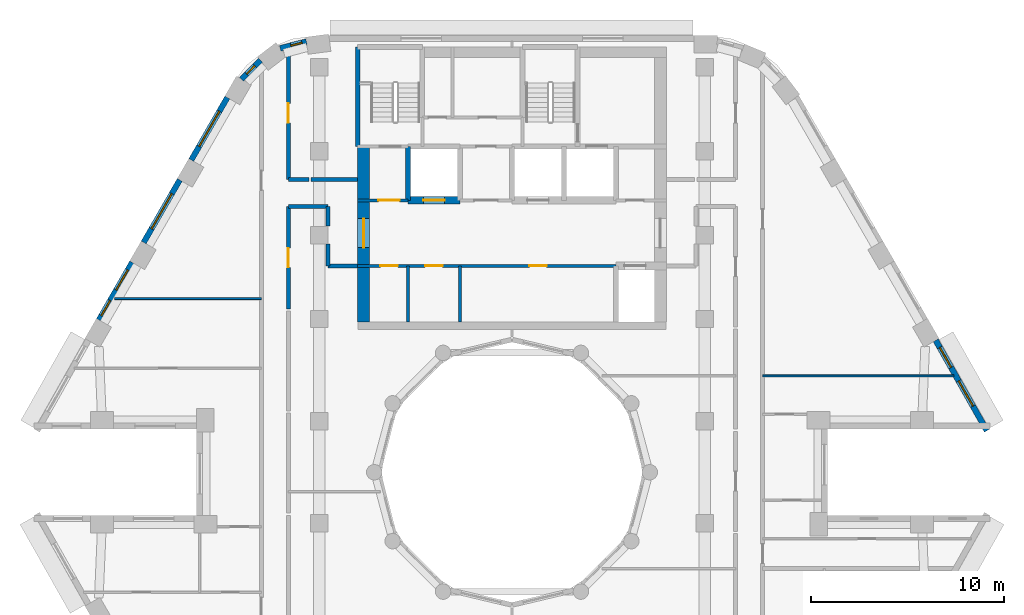
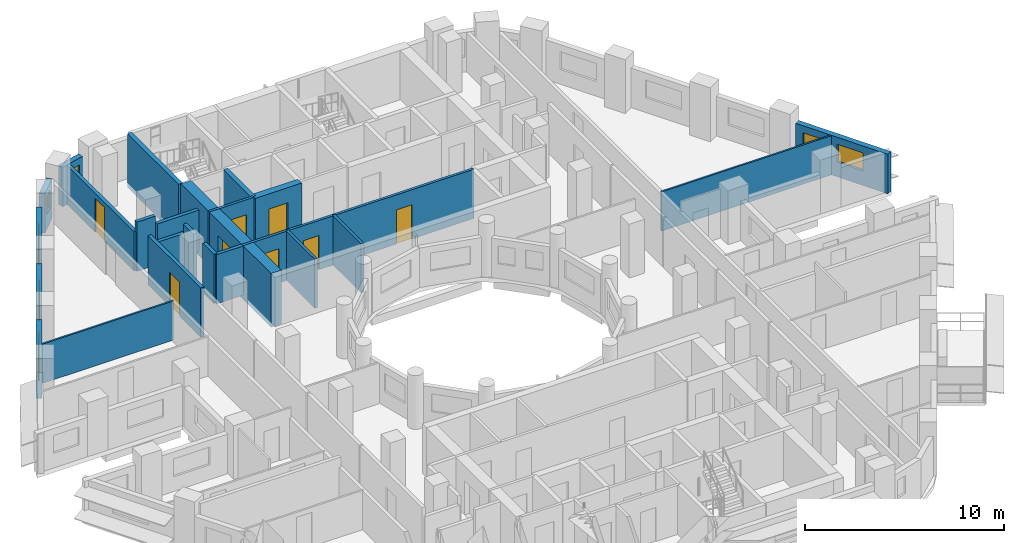
# One storey, part 7 of 15: 24 walls, 8 doors, 8 windows, 16 openings.
"""IFC4 building model written with IfcOpenShell, lengths in metres."""

from ifc_helpers import new_model, si_unit, direction, frame, frame_2d, origin, place, context, subcontext, project, spatial, rectangle, extrude, material, layer, layer_set, type_object, element, fill, save


model = new_model("IFC4")

# Units and contexts
model_context = context("Model", 3, precision=1e-05, world=origin(), true_north=direction((0.0, 1.0)))
body_context = subcontext(model_context, "Body", "Model", "MODEL_VIEW")
ifc_project = project(units=[si_unit("LENGTHUNIT", "METRE"), si_unit("AREAUNIT", "SQUARE_METRE"), si_unit("VOLUMEUNIT", "CUBIC_METRE"), si_unit("PLANEANGLEUNIT", "RADIAN"), si_unit("MASSUNIT", "GRAM", prefix="KILO")], contexts=[model_context])

# Site, building, storey
site_placement = place(None, origin())
site = spatial("IfcSite", under=ifc_project, at=site_placement, CompositionType="ELEMENT")
building_placement = place(site_placement, origin())
building = spatial("IfcBuilding", under=site, at=building_placement, Name="Nakaniwa Court", CompositionType="ELEMENT")
storey_placement = place(building_placement, frame((0.0, 0.0, 186.60009765625)))
storey = spatial("IfcBuildingStorey", under=building, at=storey_placement, Name="L48", CompositionType="ELEMENT", Elevation=186.60009765625)

# Walls
ifc_material_1 = material(Name="Acoustic double stud partition")
ifc_layer_1 = layer(ifc_material_1, 0.199951171875)
ifc_layer_set_1 = layer_set([ifc_layer_1], Name="Acoustic double stud partition")
wall_type_1 = type_object("IfcWallType", Name="Acoustic double stud partition 200", PredefinedType="PARTITIONING", material=ifc_layer_set_1)
wall_1_placement = place(storey_placement, frame((68.39990234375, 93.77490234375, 0.0), z_axis=(0.0, 0.0, 1.0), x_axis=(1.0, 0.0, 0.0)))
element("IfcWall", 1, at=wall_1_placement, inside=storey, type_object=wall_type_1, Name="Partition PW-087", PredefinedType="PARTITIONING", context=body_context, shape_type="SweptSolid", body=[
    extrude(rectangle(XDim=2.050048828125, YDim=0.199951171875, at=frame_2d((1.02490234375, 0.0))), origin(), (0.0, 0.0, 1.0), 2.5048828125),
])
wall_2_placement = place(storey_placement, frame((70.449951171875, 90.699951171875, 0.0), z_axis=(0.0, 0.0, 1.0), x_axis=(1.0, 0.0, 0.0)))
element("IfcWall", 2, at=wall_2_placement, inside=storey, type_object=wall_type_1, Name="Partition PW-089", PredefinedType="PARTITIONING", context=body_context, shape_type="SweptSolid", body=[
    extrude(rectangle(XDim=1.550048828125, YDim=0.199951171875, at=frame_2d((0.77490234375, 0.0))), origin(), (0.0, 0.0, 1.0), 3.02490234375),
])
wall_3_placement = place(storey_placement, frame((68.39990234375, 95.175048828125, 0.0), z_axis=(0.0, 0.0, 1.0), x_axis=(1.0, 0.0, 0.0)))
element("IfcWall", 3, at=wall_3_placement, inside=storey, type_object=wall_type_1, Name="Partition PW-091", PredefinedType="PARTITIONING", context=body_context, shape_type="SweptSolid", body=[
    extrude(rectangle(XDim=1.072998046875, YDim=0.199951171875, at=frame_2d((0.53662109375, 0.0))), origin(), (0.0, 0.0, 1.0), 3.02490234375),
])
wall_4_placement = place(storey_placement, frame((69.587158203125, 95.175048828125, 0.0), z_axis=(0.0, 0.0, 1.0), x_axis=(1.0, 0.0, 0.0)))
element("IfcWall", 4, at=wall_4_placement, inside=storey, type_object=wall_type_1, Name="Partition PW-092", PredefinedType="PARTITIONING", context=body_context, shape_type="SweptSolid", body=[
    extrude(rectangle(XDim=2.412841796875, YDim=0.199951171875, at=frame_2d((1.20654296875, 0.0))), origin(), (0.0, 0.0, 1.0), 2.5048828125),
])

# Wall, opening, door
wall_5_placement = place(storey_placement, frame((68.39990234375, 93.77490234375, 0.0), z_axis=(0.0, 0.0, 1.0), x_axis=(0.0, -1.0, 0.0)))
wall_5 = element("IfcWall", 5, at=wall_5_placement, inside=storey, type_object=wall_type_1, Name="Partition PW-100", PredefinedType="PARTITIONING", context=body_context, shape_type="SweptSolid", body=[
    extrude(rectangle(XDim=5.297607421875, YDim=0.199951171875, at=frame_2d((2.64892578125, 0.0))), origin(), (0.0, 0.0, 1.0), 3.02490234375),
])
opening_1_placement = place(wall_5_placement, frame((2.14794921875, 0.0, 0.0)))
opening_1 = element("IfcOpeningElement", 6, at=opening_1_placement, cuts=wall_5, Name="Opening D-02-07", PredefinedType="OPENING", context=body_context, shape_type="SweptSolid", body=[
    extrude(rectangle(XDim=1.0, YDim=2.10009765625, at=frame_2d((0.5, 1.050048828125))), frame((0.0, 0.10986328125, 0.0), z_axis=(0.0, -1.0, 0.0), x_axis=(1.0, 0.0, 0.0)), (0.0, 0.0, 1.0), 0.219970703125),
])
ifc_material_2 = material(Name="Solid core timber door set, black veneer", Category="wood")
door_type_1 = type_object("IfcDoorType", Name="Internal door 1000", OperationType="NOTDEFINED", PredefinedType="DOOR", material=ifc_material_2)
door_1_placement = place(opening_1_placement, origin())
door_1 = element("IfcDoor", 7, at=door_1_placement, inside=storey, type_object=door_type_1, Name="Door D-02-07 L48-047", OperationType="SINGLE_SWING_RIGHT", OverallHeight=2.10009765625, OverallWidth=1.0, PredefinedType="DOOR", context=body_context, shape_type="SweptSolid", body=[
    extrude(rectangle(XDim=1.0, YDim=2.10009765625, at=frame_2d((0.5, 1.050048828125))), frame((0.0, 0.02490234375, 0.0), z_axis=(0.0, -1.0, 0.0), x_axis=(1.0, 0.0, 0.0)), (0.0, 0.0, 1.0), 0.050048828125),
])
fill(opening_1, door_1)

wall_6_placement = place(storey_placement, frame((68.39990234375, 102.07373046875, 0.0), z_axis=(0.0, 0.0, 1.0), x_axis=(0.0, -1.0, 0.0)))
wall_6 = element("IfcWall", 8, at=wall_6_placement, inside=storey, type_object=wall_type_1, Name="Partition PW-101", PredefinedType="PARTITIONING", context=body_context, shape_type="SweptSolid", body=[
    extrude(rectangle(XDim=6.898681640625, YDim=0.199951171875, at=frame_2d((3.44921875, 0.0))), origin(), (0.0, 0.0, 1.0), 2.40478515625),
])
opening_2_placement = place(wall_6_placement, frame((2.948974609375, 0.0, 0.0)))
opening_2 = element("IfcOpeningElement", 9, at=opening_2_placement, cuts=wall_6, Name="Opening D-02-11", PredefinedType="OPENING", context=body_context, shape_type="SweptSolid", body=[
    extrude(rectangle(XDim=1.0, YDim=2.10009765625, at=frame_2d((0.5, 1.050048828125))), frame((0.0, 0.10986328125, 0.0), z_axis=(0.0, -1.0, 0.0), x_axis=(1.0, 0.0, 0.0)), (0.0, 0.0, 1.0), 0.219970703125),
])
door_2_placement = place(opening_2_placement, origin())
door_2 = element("IfcDoor", 10, at=door_2_placement, inside=storey, type_object=door_type_1, Name="Door D-02-11 L48-051", OperationType="SINGLE_SWING_RIGHT", OverallHeight=2.10009765625, OverallWidth=1.0, PredefinedType="DOOR", context=body_context, shape_type="SweptSolid", body=[
    extrude(rectangle(XDim=1.0, YDim=2.10009765625, at=frame_2d((0.5, 1.050048828125))), frame((0.0, 0.02490234375, 0.0), z_axis=(0.0, -1.0, 0.0), x_axis=(1.0, 0.0, 0.0)), (0.0, 0.0, 1.0), 0.050048828125),
])
fill(opening_2, door_2)

# Walls
wall_7_placement = place(storey_placement, frame((70.449951171875, 90.699951171875, 0.0), z_axis=(0.0, 0.0, 1.0), x_axis=(0.0, 1.0, 0.0)))
element("IfcWall", 11, at=wall_7_placement, inside=storey, type_object=wall_type_1, Name="Partition PW-105", PredefinedType="PARTITIONING", context=body_context, shape_type="SweptSolid", body=[
    extrude(rectangle(XDim=1.1328125, YDim=0.199951171875, at=frame_2d((0.56640625, 0.0))), origin(), (0.0, 0.0, 1.0), 3.02490234375),
])
wall_8_placement = place(storey_placement, frame((70.449951171875, 92.76708984375, 0.0), z_axis=(0.0, 0.0, 1.0), x_axis=(0.0, 1.0, 0.0)))
element("IfcWall", 12, at=wall_8_placement, inside=storey, type_object=wall_type_1, Name="Partition PW-106", PredefinedType="PARTITIONING", context=body_context, shape_type="SweptSolid", body=[
    extrude(rectangle(XDim=1.0078125, YDim=0.199951171875, at=frame_2d((0.50390625, 0.0))), origin(), (0.0, 0.0, 1.0), 3.02490234375),
])

# Wall, openings, windows
ifc_material_3 = material(Name="Charcoal ceramic cladding")
ifc_layer_2 = layer(ifc_material_3, 0.02, Name="Ceramic cladding")
ifc_material_4 = material(Name="Ventilated air cavity")
ifc_layer_3 = layer(ifc_material_4, 0.04, ventilated=True, Name="Ventilated cavity")
ifc_material_5 = material(Name="Mineral wool insulation")
ifc_layer_4 = layer(ifc_material_5, 0.1, Name="Insulation")
ifc_material_6 = material(Name="Cement bonded sheathing board")
ifc_layer_5 = layer(ifc_material_6, 0.012, Name="Sheathing")
ifc_material_7 = material(Name="Cold-formed galvanised stud frame with mineral wool infill")
ifc_layer_6 = layer(ifc_material_7, 0.1, Name="Stud frame")
ifc_material_8 = material(Name="Fire-rated gypsum plasterboard lining")
ifc_layer_7 = layer(ifc_material_8, 0.028, Name="Lining")
ifc_layer_set_2 = layer_set([ifc_layer_2, ifc_layer_3, ifc_layer_4, ifc_layer_5, ifc_layer_6, ifc_layer_7], Name="Charcoal ceramic faced external wall system")
wall_type_2 = type_object("IfcWallType", Name="Black ceramic faced external wall 300", PredefinedType="SOLIDWALL", material=ifc_layer_set_2)
wall_9_placement = place(storey_placement, frame((104.627197265625, 82.153564453125, 0.0), z_axis=(0.0, 0.0, 1.0), x_axis=(-0.492033360928, 0.870576344575, 0.0)))
wall_9 = element("IfcWall", 13, at=wall_9_placement, inside=storey, type_object=wall_type_2, Name="L48 external wall 02", PredefinedType="SOLIDWALL", context=body_context, shape_type="SweptSolid", body=[
    extrude(rectangle(XDim=5.38671875, YDim=0.300048828125, at=frame_2d((2.693359375, 0.0))), origin(), (0.0, 0.0, 1.0), 2.4248046875),
])
opening_3_placement = place(wall_9_placement, frame((1.46630859375, 0.0, 0.89990234375)))
opening_3 = element("IfcOpeningElement", 14, at=opening_3_placement, cuts=wall_9, Name="Opening W5.01", PredefinedType="OPENING", context=body_context, shape_type="SweptSolid", body=[
    extrude(rectangle(XDim=1.5, YDim=1.10009765625, at=frame_2d((0.75, 0.550048828125))), frame((0.0, 0.159912109375, 0.0), z_axis=(0.0, -1.0, 0.0), x_axis=(1.0, 0.0, 0.0)), (0.0, 0.0, 1.0), 0.320068359375),
])
opening_4_placement = place(wall_9_placement, frame((3.763427734375, 0.0, 0.89990234375)))
opening_4 = element("IfcOpeningElement", 15, at=opening_4_placement, cuts=wall_9, Name="Opening W6.02", PredefinedType="OPENING", context=body_context, shape_type="SweptSolid", body=[
    extrude(rectangle(XDim=1.199951171875, YDim=1.10009765625, at=frame_2d((0.60009765625, 0.550048828125))), frame((0.0, 0.159912109375, 0.0), z_axis=(0.0, -1.0, 0.0), x_axis=(1.0, 0.0, 0.0)), (0.0, 0.0, 1.0), 0.320068359375),
])
ifc_material_9 = material(Name="Black anodised aluminium frame with dark low-E laminated double glazing", Category="aluminium")
window_type_1 = type_object("IfcWindowType", Name="Dark glass window 1200x1100 sill 900", PartitioningType="SINGLE_PANEL", PredefinedType="WINDOW", material=ifc_material_9)
window_1_placement = place(opening_4_placement, origin())
window_1 = element("IfcWindow", 16, at=window_1_placement, inside=storey, type_object=window_type_1, Name="L48 habitable room window 02-1", OverallHeight=1.10009765625, OverallWidth=1.199951171875, PartitioningType="SINGLE_PANEL", PredefinedType="WINDOW", context=body_context, shape_type="SweptSolid", body=[
    extrude(rectangle(XDim=1.199951171875, YDim=1.10009765625, at=frame_2d((0.60009765625, 0.550048828125))), frame((0.0, 0.030029296875, 0.0), z_axis=(0.0, -1.0, 0.0), x_axis=(1.0, 0.0, 0.0)), (0.0, 0.0, 1.0), 0.06005859375),
])
fill(opening_4, window_1)
window_type_2 = type_object("IfcWindowType", Name="Dark glass window 1500x1100 sill 900", PartitioningType="SINGLE_PANEL", PredefinedType="WINDOW", material=ifc_material_9)
window_2_placement = place(opening_3_placement, origin())
window_2 = element("IfcWindow", 17, at=window_2_placement, inside=storey, type_object=window_type_2, Name="L48 habitable room window 02-0", OverallHeight=1.10009765625, OverallWidth=1.5, PartitioningType="SINGLE_PANEL", PredefinedType="WINDOW", context=body_context, shape_type="SweptSolid", body=[
    extrude(rectangle(XDim=1.5, YDim=1.10009765625, at=frame_2d((0.75, 0.550048828125))), frame((0.0, 0.030029296875, 0.0), z_axis=(0.0, -1.0, 0.0), x_axis=(1.0, 0.0, 0.0)), (0.0, 0.0, 1.0), 0.06005859375),
])
fill(opening_3, window_2)

# Wall, opening, window
wall_10_placement = place(storey_placement, frame((69.3359375, 102.333251953125, 0.0), z_axis=(0.0, 0.0, 1.0), x_axis=(-0.969037396898, -0.246914000036, 0.0)))
wall_10 = element("IfcWall", 18, at=wall_10_placement, inside=storey, type_object=wall_type_2, Name="L48 external wall 09", PredefinedType="SOLIDWALL", context=body_context, shape_type="SweptSolid", body=[
    extrude(rectangle(XDim=1.403076171875, YDim=0.300048828125, at=frame_2d((0.70166015625, 0.0))), origin(), (0.0, 0.0, 1.0), 2.4248046875),
])
opening_5_placement = place(wall_10_placement, frame((0.22900390625, 0.0, 0.89990234375)))
opening_5 = element("IfcOpeningElement", 19, at=opening_5_placement, cuts=wall_10, Name="Opening W8.10", PredefinedType="OPENING", context=body_context, shape_type="SweptSolid", body=[
    extrude(rectangle(XDim=0.60009765625, YDim=1.10009765625, at=frame_2d((0.300048828125, 0.550048828125))), frame((0.0, 0.159912109375, 0.0), z_axis=(0.0, -1.0, 0.0), x_axis=(1.0, 0.0, 0.0)), (0.0, 0.0, 1.0), 0.320068359375),
])
window_type_3 = type_object("IfcWindowType", Name="Dark glass window 600x1100 sill 900", PartitioningType="SINGLE_PANEL", PredefinedType="WINDOW", material=ifc_material_9)
window_3_placement = place(opening_5_placement, origin())
window_3 = element("IfcWindow", 20, at=window_3_placement, inside=storey, type_object=window_type_3, Name="L48 habitable room window 09-0", OverallHeight=1.10009765625, OverallWidth=0.60009765625, PartitioningType="SINGLE_PANEL", PredefinedType="WINDOW", context=body_context, shape_type="SweptSolid", body=[
    extrude(rectangle(XDim=0.60009765625, YDim=1.10009765625, at=frame_2d((0.300048828125, 0.550048828125))), frame((0.0, 0.030029296875, 0.0), z_axis=(0.0, -1.0, 0.0), x_axis=(1.0, 0.0, 0.0)), (0.0, 0.0, 1.0), 0.06005859375),
])
fill(opening_5, window_3)

wall_11_placement = place(storey_placement, frame((66.951904296875, 101.36328125, 0.0), z_axis=(0.0, 0.0, 1.0), x_axis=(-0.70869320446, -0.705516790695, 0.0)))
wall_11 = element("IfcWall", 21, at=wall_11_placement, inside=storey, type_object=wall_type_2, Name="L48 external wall 10", PredefinedType="SOLIDWALL", context=body_context, shape_type="SweptSolid", body=[
    extrude(rectangle(XDim=1.383544921875, YDim=0.300048828125, at=frame_2d((0.69189453125, 0.0))), origin(), (0.0, 0.0, 1.0), 2.4248046875),
])
opening_6_placement = place(wall_11_placement, frame((0.407958984375, 0.0, 0.89990234375)))
opening_6 = element("IfcOpeningElement", 22, at=opening_6_placement, cuts=wall_11, Name="Opening W8.11", PredefinedType="OPENING", context=body_context, shape_type="SweptSolid", body=[
    extrude(rectangle(XDim=0.60009765625, YDim=1.10009765625, at=frame_2d((0.300048828125, 0.550048828125))), frame((0.0, 0.159912109375, 0.0), z_axis=(0.0, -1.0, 0.0), x_axis=(1.0, 0.0, 0.0)), (0.0, 0.0, 1.0), 0.320068359375),
])
window_4_placement = place(opening_6_placement, origin())
window_4 = element("IfcWindow", 23, at=window_4_placement, inside=storey, type_object=window_type_3, Name="L48 habitable room window 10-1", OverallHeight=1.10009765625, OverallWidth=0.60009765625, PartitioningType="SINGLE_PANEL", PredefinedType="WINDOW", context=body_context, shape_type="SweptSolid", body=[
    extrude(rectangle(XDim=0.60009765625, YDim=1.10009765625, at=frame_2d((0.300048828125, 0.550048828125))), frame((0.0, 0.030029296875, 0.0), z_axis=(0.0, -1.0, 0.0), x_axis=(1.0, 0.0, 0.0)), (0.0, 0.0, 1.0), 0.06005859375),
])
fill(opening_6, window_4)

wall_12_placement = place(storey_placement, frame((65.239013671875, 99.433349609375, 0.0), z_axis=(0.0, 0.0, 1.0), x_axis=(-0.499982088007, -0.866035745032, 0.0)))
wall_12 = element("IfcWall", 24, at=wall_12_placement, inside=storey, type_object=wall_type_2, Name="L48 external wall 11", PredefinedType="SOLIDWALL", context=body_context, shape_type="SweptSolid", body=[
    extrude(rectangle(XDim=3.744384765625, YDim=0.300048828125, at=frame_2d((1.8720703125, 0.0))), origin(), (0.0, 0.0, 1.0), 2.4248046875),
])
opening_7_placement = place(wall_12_placement, frame((0.822021484375, 0.0, 0.89990234375)))
opening_7 = element("IfcOpeningElement", 25, at=opening_7_placement, cuts=wall_12, Name="Opening W7.12", PredefinedType="OPENING", context=body_context, shape_type="SweptSolid", body=[
    extrude(rectangle(XDim=2.10009765625, YDim=1.10009765625, at=frame_2d((1.050048828125, 0.550048828125))), frame((0.0, 0.159912109375, 0.0), z_axis=(0.0, -1.0, 0.0), x_axis=(1.0, 0.0, 0.0)), (0.0, 0.0, 1.0), 0.320068359375),
])
window_type_4 = type_object("IfcWindowType", Name="Dark glass window 2100x1100 sill 900", PartitioningType="SINGLE_PANEL", PredefinedType="WINDOW", material=ifc_material_9)
window_5_placement = place(opening_7_placement, origin())
window_5 = element("IfcWindow", 26, at=window_5_placement, inside=storey, type_object=window_type_4, Name="L48 habitable room window 11-0", OverallHeight=1.10009765625, OverallWidth=2.10009765625, PartitioningType="SINGLE_PANEL", PredefinedType="WINDOW", context=body_context, shape_type="SweptSolid", body=[
    extrude(rectangle(XDim=2.10009765625, YDim=1.10009765625, at=frame_2d((1.050048828125, 0.550048828125))), frame((0.0, 0.030029296875, 0.0), z_axis=(0.0, -1.0, 0.0), x_axis=(1.0, 0.0, 0.0)), (0.0, 0.0, 1.0), 0.06005859375),
])
fill(opening_7, window_5)

wall_13_placement = place(storey_placement, frame((62.77099609375, 95.158447265625, 0.0), z_axis=(0.0, 0.0, 1.0), x_axis=(-0.500059225181, -0.86599120741, 0.0)))
wall_13 = element("IfcWall", 27, at=wall_13_placement, inside=storey, type_object=wall_type_2, Name="L48 external wall 12", PredefinedType="SOLIDWALL", context=body_context, shape_type="SweptSolid", body=[
    extrude(rectangle(XDim=3.744140625, YDim=0.300048828125, at=frame_2d((1.8720703125, 0.0))), origin(), (0.0, 0.0, 1.0), 2.4248046875),
])
opening_8_placement = place(wall_13_placement, frame((0.822021484375, 0.0, 0.89990234375)))
opening_8 = element("IfcOpeningElement", 28, at=opening_8_placement, cuts=wall_13, Name="Opening W7.13", PredefinedType="OPENING", context=body_context, shape_type="SweptSolid", body=[
    extrude(rectangle(XDim=2.10009765625, YDim=1.10009765625, at=frame_2d((1.050048828125, 0.550048828125))), frame((0.0, 0.159912109375, 0.0), z_axis=(0.0, -1.0, 0.0), x_axis=(1.0, 0.0, 0.0)), (0.0, 0.0, 1.0), 0.320068359375),
])
window_6_placement = place(opening_8_placement, origin())
window_6 = element("IfcWindow", 29, at=window_6_placement, inside=storey, type_object=window_type_4, Name="L48 habitable room window 12-0", OverallHeight=1.10009765625, OverallWidth=2.10009765625, PartitioningType="SINGLE_PANEL", PredefinedType="WINDOW", context=body_context, shape_type="SweptSolid", body=[
    extrude(rectangle(XDim=2.10009765625, YDim=1.10009765625, at=frame_2d((1.050048828125, 0.550048828125))), frame((0.0, 0.030029296875, 0.0), z_axis=(0.0, -1.0, 0.0), x_axis=(1.0, 0.0, 0.0)), (0.0, 0.0, 1.0), 0.06005859375),
])
fill(opening_8, window_6)

# Wall, openings, windows
wall_14_placement = place(storey_placement, frame((60.302734375, 90.883544921875, 0.0), z_axis=(0.0, 0.0, 1.0), x_axis=(-0.499955427682, -0.866051136095, 0.0)))
wall_14 = element("IfcWall", 30, at=wall_14_placement, inside=storey, type_object=wall_type_2, Name="L48 external wall 13", PredefinedType="SOLIDWALL", context=body_context, shape_type="SweptSolid", body=[
    extrude(rectangle(XDim=3.447021484375, YDim=0.300048828125, at=frame_2d((1.7236328125, 0.0))), origin(), (0.0, 0.0, 1.0), 2.4248046875),
])
opening_9_placement = place(wall_14_placement, frame((0.450439453125, 0.0, 0.89990234375)))
opening_9 = element("IfcOpeningElement", 31, at=opening_9_placement, cuts=wall_14, Name="Opening W6.14", PredefinedType="OPENING", context=body_context, shape_type="SweptSolid", body=[
    extrude(rectangle(XDim=1.199951171875, YDim=1.10009765625, at=frame_2d((0.60009765625, 0.550048828125))), frame((0.0, 0.159912109375, 0.0), z_axis=(0.0, -1.0, 0.0), x_axis=(1.0, 0.0, 0.0)), (0.0, 0.0, 1.0), 0.320068359375),
])
opening_10_placement = place(wall_14_placement, frame((2.286865234375, 0.0, 0.89990234375)))
opening_10 = element("IfcOpeningElement", 32, at=opening_10_placement, cuts=wall_14, Name="Opening W9.15", PredefinedType="OPENING", context=body_context, shape_type="SweptSolid", body=[
    extrude(rectangle(XDim=0.89990234375, YDim=1.10009765625, at=frame_2d((0.449951171875, 0.550048828125))), frame((0.0, 0.159912109375, 0.0), z_axis=(0.0, -1.0, 0.0), x_axis=(1.0, 0.0, 0.0)), (0.0, 0.0, 1.0), 0.320068359375),
])
window_7_placement = place(opening_9_placement, origin())
window_7 = element("IfcWindow", 33, at=window_7_placement, inside=storey, type_object=window_type_1, Name="L48 habitable room window 13-0", OverallHeight=1.10009765625, OverallWidth=1.199951171875, PartitioningType="SINGLE_PANEL", PredefinedType="WINDOW", context=body_context, shape_type="SweptSolid", body=[
    extrude(rectangle(XDim=1.199951171875, YDim=1.10009765625, at=frame_2d((0.60009765625, 0.550048828125))), frame((0.0, 0.030029296875, 0.0), z_axis=(0.0, -1.0, 0.0), x_axis=(1.0, 0.0, 0.0)), (0.0, 0.0, 1.0), 0.06005859375),
])
fill(opening_9, window_7)
window_type_5 = type_object("IfcWindowType", Name="Dark glass window 900x1100 sill 900", PartitioningType="SINGLE_PANEL", PredefinedType="WINDOW", material=ifc_material_9)
window_8_placement = place(opening_10_placement, origin())
window_8 = element("IfcWindow", 34, at=window_8_placement, inside=storey, type_object=window_type_5, Name="L48 habitable room window 13-1", OverallHeight=1.10009765625, OverallWidth=0.89990234375, PartitioningType="SINGLE_PANEL", PredefinedType="WINDOW", context=body_context, shape_type="SweptSolid", body=[
    extrude(rectangle(XDim=0.89990234375, YDim=1.10009765625, at=frame_2d((0.449951171875, 0.550048828125))), frame((0.0, 0.030029296875, 0.0), z_axis=(0.0, -1.0, 0.0), x_axis=(1.0, 0.0, 0.0)), (0.0, 0.0, 1.0), 0.06005859375),
])
fill(opening_10, window_8)

# Wall
ifc_material_10 = material(Name="Blockwork partition", Category="masonry")
ifc_layer_8 = layer(ifc_material_10, 0.14990234375)
ifc_layer_set_3 = layer_set([ifc_layer_8], Name="Blockwork partition")
wall_type_3 = type_object("IfcWallType", Name="Blockwork partition 150", PredefinedType="PARTITIONING", material=ifc_layer_set_3)
wall_15_placement = place(storey_placement, frame((74.60009765625, 87.800048828125, 0.0), z_axis=(0.0, 0.0, 1.0), x_axis=(0.0, 1.0, 0.0)))
element("IfcWall", 35, at=wall_15_placement, inside=storey, type_object=wall_type_3, Name="Partition PW-001", PredefinedType="PARTITIONING", context=body_context, shape_type="SweptSolid", body=[
    extrude(rectangle(XDim=2.89990234375, YDim=0.14990234375, at=frame_2d((1.449951171875, 0.0))), origin(), (0.0, 0.0, 1.0), 3.02490234375),
])

# Wall, openings, doors
wall_16_placement = place(storey_placement, frame((85.39990234375, 90.699951171875, 0.0), z_axis=(0.0, 0.0, 1.0), x_axis=(-1.0, 0.0, 0.0)))
wall_16 = element("IfcWall", 36, at=wall_16_placement, inside=storey, type_object=wall_type_3, Name="Partition PW-002", PredefinedType="PARTITIONING", context=body_context, shape_type="SweptSolid", body=[
    extrude(rectangle(XDim=13.39990234375, YDim=0.14990234375, at=frame_2d((6.699951171875, 0.0))), origin(), (0.0, 0.0, 1.0), 3.02490234375),
])
opening_11_placement = place(wall_16_placement, frame((11.324951171875, 0.0, 0.0)))
opening_11 = element("IfcOpeningElement", 37, at=opening_11_placement, cuts=wall_16, Name="Opening D-05-01", PredefinedType="OPENING", context=body_context, shape_type="SweptSolid", body=[
    extrude(rectangle(XDim=0.89990234375, YDim=2.10009765625, at=frame_2d((0.449951171875, 1.050048828125))), frame((0.0, 0.0849609375, 0.0), z_axis=(0.0, -1.0, 0.0), x_axis=(1.0, 0.0, 0.0)), (0.0, 0.0, 1.0), 0.169921875),
])
opening_12_placement = place(wall_16_placement, frame((9.0, 0.0, 0.0)))
opening_12 = element("IfcOpeningElement", 38, at=opening_12_placement, cuts=wall_16, Name="Opening D-05-02", PredefinedType="OPENING", context=body_context, shape_type="SweptSolid", body=[
    extrude(rectangle(XDim=0.89990234375, YDim=2.10009765625, at=frame_2d((0.449951171875, 1.050048828125))), frame((0.0, 0.0849609375, 0.0), z_axis=(0.0, -1.0, 0.0), x_axis=(1.0, 0.0, 0.0)), (0.0, 0.0, 1.0), 0.169921875),
])
opening_13_placement = place(wall_16_placement, frame((3.60009765625, 0.0, 0.0)))
opening_13 = element("IfcOpeningElement", 39, at=opening_13_placement, cuts=wall_16, Name="Opening D-05-03", PredefinedType="OPENING", context=body_context, shape_type="SweptSolid", body=[
    extrude(rectangle(XDim=0.89990234375, YDim=2.10009765625, at=frame_2d((0.449951171875, 1.050048828125))), frame((0.0, 0.0849609375, 0.0), z_axis=(0.0, -1.0, 0.0), x_axis=(1.0, 0.0, 0.0)), (0.0, 0.0, 1.0), 0.169921875),
])
ifc_material_11 = material(Name="Fire rated steel door set", Category="steel")
door_type_2 = type_object("IfcDoorType", Name="Service room door 900", OperationType="NOTDEFINED", PredefinedType="DOOR", material=ifc_material_11)
door_3_placement = place(opening_11_placement, origin())
door_3 = element("IfcDoor", 40, at=door_3_placement, inside=storey, type_object=door_type_2, Name="Door D-05-01 L48-001", OperationType="SINGLE_SWING_RIGHT", OverallHeight=2.10009765625, OverallWidth=0.89990234375, PredefinedType="DOOR", context=body_context, shape_type="SweptSolid", body=[
    extrude(rectangle(XDim=0.89990234375, YDim=2.10009765625, at=frame_2d((0.449951171875, 1.050048828125))), frame((0.0, 0.02490234375, 0.0), z_axis=(0.0, -1.0, 0.0), x_axis=(1.0, 0.0, 0.0)), (0.0, 0.0, 1.0), 0.050048828125),
])
fill(opening_11, door_3)
door_4_placement = place(opening_12_placement, origin())
door_4 = element("IfcDoor", 41, at=door_4_placement, inside=storey, type_object=door_type_2, Name="Door D-05-02 L48-002", OperationType="SINGLE_SWING_LEFT", OverallHeight=2.10009765625, OverallWidth=0.89990234375, PredefinedType="DOOR", context=body_context, shape_type="SweptSolid", body=[
    extrude(rectangle(XDim=0.89990234375, YDim=2.10009765625, at=frame_2d((0.449951171875, 1.050048828125))), frame((0.0, 0.02490234375, 0.0), z_axis=(0.0, -1.0, 0.0), x_axis=(1.0, 0.0, 0.0)), (0.0, 0.0, 1.0), 0.050048828125),
])
fill(opening_12, door_4)
door_5_placement = place(opening_13_placement, origin())
door_5 = element("IfcDoor", 42, at=door_5_placement, inside=storey, type_object=door_type_2, Name="Door D-05-03 L48-003", OperationType="SINGLE_SWING_RIGHT", OverallHeight=2.10009765625, OverallWidth=0.89990234375, PredefinedType="DOOR", context=body_context, shape_type="SweptSolid", body=[
    extrude(rectangle(XDim=0.89990234375, YDim=2.10009765625, at=frame_2d((0.449951171875, 1.050048828125))), frame((0.0, 0.02490234375, 0.0), z_axis=(0.0, -1.0, 0.0), x_axis=(1.0, 0.0, 0.0)), (0.0, 0.0, 1.0), 0.050048828125),
])
fill(opening_13, door_5)

# Wall
wall_17_placement = place(storey_placement, frame((77.300048828125, 87.800048828125, 0.0), z_axis=(0.0, 0.0, 1.0), x_axis=(0.0, 1.0, 0.0)))
element("IfcWall", 43, at=wall_17_placement, inside=storey, type_object=wall_type_3, Name="Partition PW-008", PredefinedType="PARTITIONING", context=body_context, shape_type="SweptSolid", body=[
    extrude(rectangle(XDim=2.89990234375, YDim=0.14990234375, at=frame_2d((1.449951171875, 0.0))), origin(), (0.0, 0.0, 1.0), 3.02490234375),
])

# Wall, opening, door
wall_18_placement = place(storey_placement, frame((72.0, 94.10009765625, 0.0), z_axis=(0.0, 0.0, 1.0), x_axis=(1.0, 0.0, 0.0)))
wall_18 = element("IfcWall", 44, at=wall_18_placement, inside=storey, type_object=wall_type_3, Name="Partition PW-009", PredefinedType="PARTITIONING", context=body_context, shape_type="SweptSolid", body=[
    extrude(rectangle(XDim=2.60302734375, YDim=0.14990234375, at=frame_2d((1.301513671875, 0.0))), origin(), (0.0, 0.0, 1.0), 3.02490234375),
])
opening_14_placement = place(wall_18_placement, frame((1.074951171875, 0.0, 0.0)))
opening_14 = element("IfcOpeningElement", 45, at=opening_14_placement, cuts=wall_18, Name="Opening D-08-01", PredefinedType="OPENING", context=body_context, shape_type="SweptSolid", body=[
    extrude(rectangle(XDim=1.10009765625, YDim=2.10009765625, at=frame_2d((0.550048828125, 1.050048828125))), frame((0.0, 0.0849609375, 0.0), z_axis=(0.0, -1.0, 0.0), x_axis=(1.0, 0.0, 0.0)), (0.0, 0.0, 1.0), 0.169921875),
])
door_type_3 = type_object("IfcDoorType", Name="Stair lobby door 1100", OperationType="NOTDEFINED", PredefinedType="DOOR", material=ifc_material_11)
door_6_placement = place(opening_14_placement, origin())
door_6 = element("IfcDoor", 46, at=door_6_placement, inside=storey, type_object=door_type_3, Name="Door D-08-01 L48-004", OperationType="SINGLE_SWING_LEFT", OverallHeight=2.10009765625, OverallWidth=1.10009765625, PredefinedType="DOOR", context=body_context, shape_type="SweptSolid", body=[
    extrude(rectangle(XDim=1.10009765625, YDim=2.10009765625, at=frame_2d((0.550048828125, 1.050048828125))), frame((0.0, 0.02490234375, 0.0), z_axis=(0.0, -1.0, 0.0), x_axis=(1.0, 0.0, 0.0)), (0.0, 0.0, 1.0), 0.050048828125),
])
fill(opening_14, door_6)

ifc_material_12 = material(Name="Concrete C80/100", Category="concrete")
ifc_layer_9 = layer(ifc_material_12, 0.60009765625)
ifc_layer_set_4 = layer_set([ifc_layer_9], Name="Concrete C80/100")
wall_type_4 = type_object("IfcWallType", Name="Concrete core side wall 600 C80", PredefinedType="SHEAR", material=ifc_layer_set_4)
wall_19_placement = place(storey_placement, frame((72.300048828125, 87.800048828125, -0.275146484375), z_axis=(0.0, 0.0, 1.0), x_axis=(0.0, 1.0, 0.0)))
wall_19 = element("IfcWall", 47, at=wall_19_placement, inside=storey, type_object=wall_type_4, Name="Core wall SW-03", PredefinedType="SHEAR", context=body_context, shape_type="SweptSolid", body=[
    extrude(rectangle(XDim=9.099853515625, YDim=0.60009765625, at=frame_2d((4.5498046875, 0.0))), origin(), (0.0, 0.0, 1.0), 3.300048828125),
])
opening_15_placement = place(wall_19_placement, frame((3.85205078125, 0.0, 0.27490234375)))
opening_15 = element("IfcOpeningElement", 48, at=opening_15_placement, cuts=wall_19, Name="Opening D-07-02", PredefinedType="OPENING", context=body_context, shape_type="SweptSolid", body=[
    extrude(rectangle(XDim=1.5, YDim=2.10009765625, at=frame_2d((0.75, 1.050048828125))), frame((0.0, 0.31005859375, 0.0), z_axis=(0.0, -1.0, 0.0), x_axis=(1.0, 0.0, 0.0)), (0.0, 0.0, 1.0), 0.6201171875),
])
ifc_material_13 = material(Name="Glazed fire rated steel double door set", Category="steel")
door_type_4 = type_object("IfcDoorType", Name="Lobby double door 1500", OperationType="NOTDEFINED", PredefinedType="DOOR", material=ifc_material_13)
door_7_placement = place(opening_15_placement, origin())
door_7 = element("IfcDoor", 49, at=door_7_placement, inside=storey, type_object=door_type_4, Name="Door D-07-02 L48-053", OperationType="DOUBLE_DOOR_SINGLE_SWING", OverallHeight=2.10009765625, OverallWidth=1.5, PredefinedType="DOOR", context=body_context, shape_type="SweptSolid", body=[
    extrude(rectangle(XDim=1.5, YDim=2.10009765625, at=frame_2d((0.75, 1.050048828125))), frame((0.0, 0.02490234375, 0.0), z_axis=(0.0, -1.0, 0.0), x_axis=(1.0, 0.0, 0.0)), (0.0, 0.0, 1.0), 0.050048828125),
])
fill(opening_15, door_7)

ifc_layer_10 = layer(ifc_material_12, 0.39990234375)
ifc_layer_set_5 = layer_set([ifc_layer_10], Name="Concrete C80/100")
wall_type_5 = type_object("IfcWallType", Name="Concrete core spine wall 400 C80", PredefinedType="SHEAR", material=ifc_layer_set_5)
wall_20_placement = place(storey_placement, frame((74.596923828125, 94.10009765625, -0.275146484375), z_axis=(0.0, 0.0, 1.0), x_axis=(1.0, 0.0, 0.0)))
wall_20 = element("IfcWall", 50, at=wall_20_placement, inside=storey, type_object=wall_type_5, Name="Core wall SW-12", PredefinedType="SHEAR", context=body_context, shape_type="SweptSolid", body=[
    extrude(rectangle(XDim=2.7060546875, YDim=0.39990234375, at=frame_2d((1.35302734375, 0.0))), origin(), (0.0, 0.0, 1.0), 3.300048828125),
])
opening_16_placement = place(wall_20_placement, frame((0.802978515625, 0.0, 0.27490234375)))
opening_16 = element("IfcOpeningElement", 51, at=opening_16_placement, cuts=wall_20, Name="Opening LD02", PredefinedType="OPENING", context=body_context, shape_type="SweptSolid", body=[
    extrude(rectangle(XDim=1.10009765625, YDim=2.10009765625, at=frame_2d((0.550048828125, 1.050048828125))), frame((0.0, 0.2099609375, 0.0), z_axis=(0.0, -1.0, 0.0), x_axis=(1.0, 0.0, 0.0)), (0.0, 0.0, 1.0), 0.419921875),
])
ifc_material_14 = material(Name="Stainless steel sliding lift landing door", Category="steel")
door_type_5 = type_object("IfcDoorType", Name="Lift landing door 1100", OperationType="NOTDEFINED", PredefinedType="DOOR", material=ifc_material_14)
door_8_placement = place(opening_16_placement, origin())
door_8 = element("IfcDoor", 52, at=door_8_placement, inside=storey, type_object=door_type_5, Name="Lift landing door LD02 L48-002", OperationType="SLIDING_TO_LEFT", OverallHeight=2.10009765625, OverallWidth=1.10009765625, PredefinedType="DOOR", context=body_context, shape_type="SweptSolid", body=[
    extrude(rectangle(XDim=1.10009765625, YDim=2.10009765625, at=frame_2d((0.550048828125, 1.050048828125))), frame((0.0, 0.02490234375, 0.0), z_axis=(0.0, -1.0, 0.0), x_axis=(1.0, 0.0, 0.0)), (0.0, 0.0, 1.0), 0.050048828125),
])
fill(opening_16, door_8)

# Walls
ifc_layer_11 = layer(ifc_material_12, 0.25)
ifc_layer_set_6 = layer_set([ifc_layer_11], Name="Concrete C80/100")
wall_type_6 = type_object("IfcWallType", Name="Concrete core wall 250 C80", PredefinedType="SHEAR", material=ifc_layer_set_6)
wall_21_placement = place(storey_placement, frame((72.0, 96.89990234375, -0.275146484375), z_axis=(0.0, 0.0, 1.0), x_axis=(0.0, 1.0, 0.0)))
element("IfcWall", 53, at=wall_21_placement, inside=storey, type_object=wall_type_6, Name="Core wall SW-26", PredefinedType="SHEAR", context=body_context, shape_type="SweptSolid", body=[
    extrude(rectangle(XDim=5.150146484375, YDim=0.25, at=frame_2d((2.5751953125, 0.0))), origin(), (0.0, 0.0, 1.0), 3.300048828125),
])
ifc_layer_12 = layer(ifc_material_12, 0.25)
ifc_layer_set_7 = layer_set([ifc_layer_12], Name="Concrete C80/100")
wall_type_7 = type_object("IfcWallType", Name="Concrete shaft wall 250 C80", PredefinedType="SHEAR", material=ifc_layer_set_7)
wall_22_placement = place(storey_placement, frame((74.60009765625, 94.10009765625, -0.275146484375), z_axis=(0.0, 0.0, 1.0), x_axis=(0.0, 1.0, 0.0)))
element("IfcWall", 54, at=wall_22_placement, inside=storey, type_object=wall_type_7, Name="Core wall SW-14", PredefinedType="SHEAR", context=body_context, shape_type="SweptSolid", body=[
    extrude(rectangle(XDim=2.7998046875, YDim=0.25, at=frame_2d((1.39990234375, 0.0))), origin(), (0.0, 0.0, 1.0), 3.300048828125),
])
ifc_material_15 = material(Name="Single stud plasterboard partition")
ifc_layer_13 = layer(ifc_material_15, 0.10009765625)
ifc_layer_set_8 = layer_set([ifc_layer_13], Name="Single stud plasterboard partition")
wall_type_8 = type_object("IfcWallType", Name="Single stud plasterboard partition 100", PredefinedType="PARTITIONING", material=ifc_layer_set_8)
wall_23_placement = place(storey_placement, frame((93.0009765625, 85.0, 0.0), z_axis=(0.0, 0.0, 1.0), x_axis=(1.0, 0.0, 0.0)))
element("IfcWall", 55, at=wall_23_placement, inside=storey, type_object=wall_type_8, Name="Partition PW-119", PredefinedType="PARTITIONING", context=body_context, shape_type="SweptSolid", body=[
    extrude(rectangle(XDim=9.919921875, YDim=0.10009765625, at=frame_2d((4.9599609375, 0.0))), origin(), (0.0, 0.0, 1.0), 2.40478515625),
])
wall_24_placement = place(storey_placement, frame((59.388671875, 89.0, 0.0), z_axis=(0.0, 0.0, 1.0), x_axis=(1.0, 0.0, 0.0)))
element("IfcWall", 56, at=wall_24_placement, inside=storey, type_object=wall_type_8, Name="Partition PW-131", PredefinedType="PARTITIONING", context=body_context, shape_type="SweptSolid", body=[
    extrude(rectangle(XDim=7.6103515625, YDim=0.10009765625, at=frame_2d((3.80517578125, 0.0))), origin(), (0.0, 0.0, 1.0), 2.40478515625),
])

save(model, "model.ifc")
